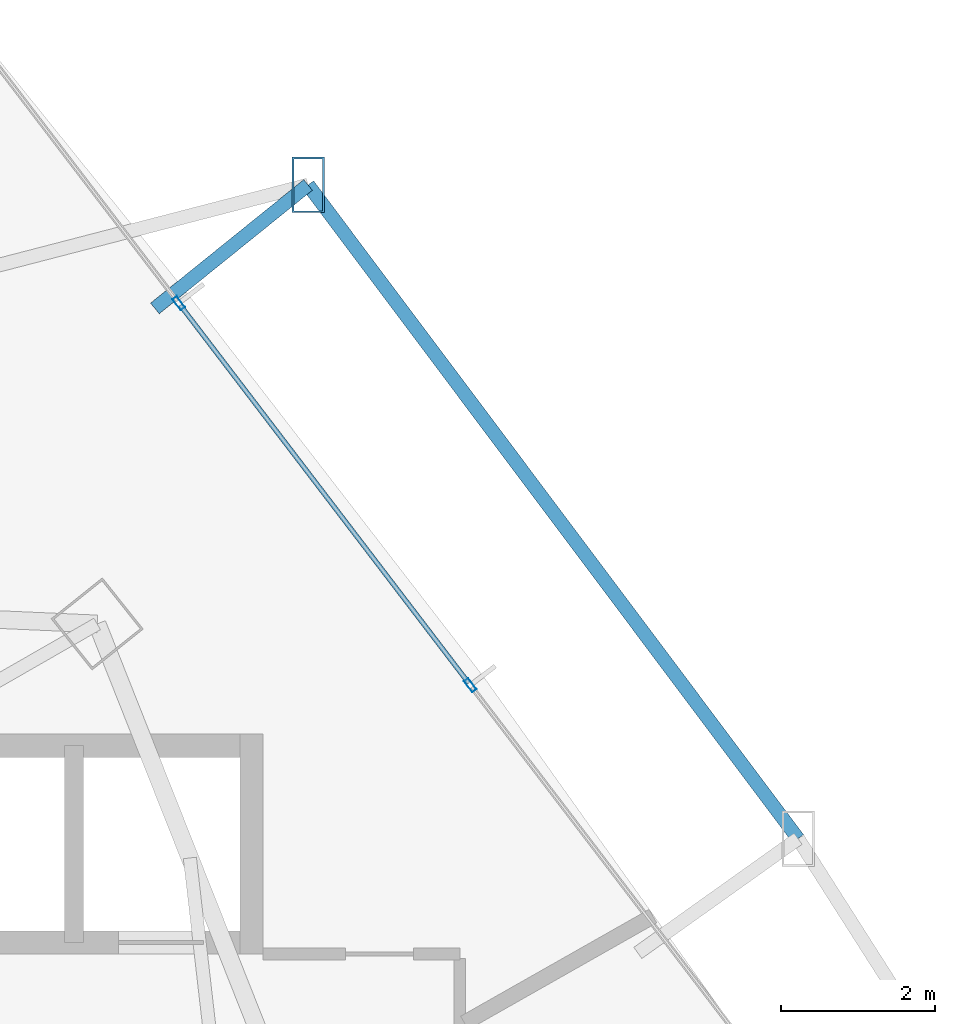
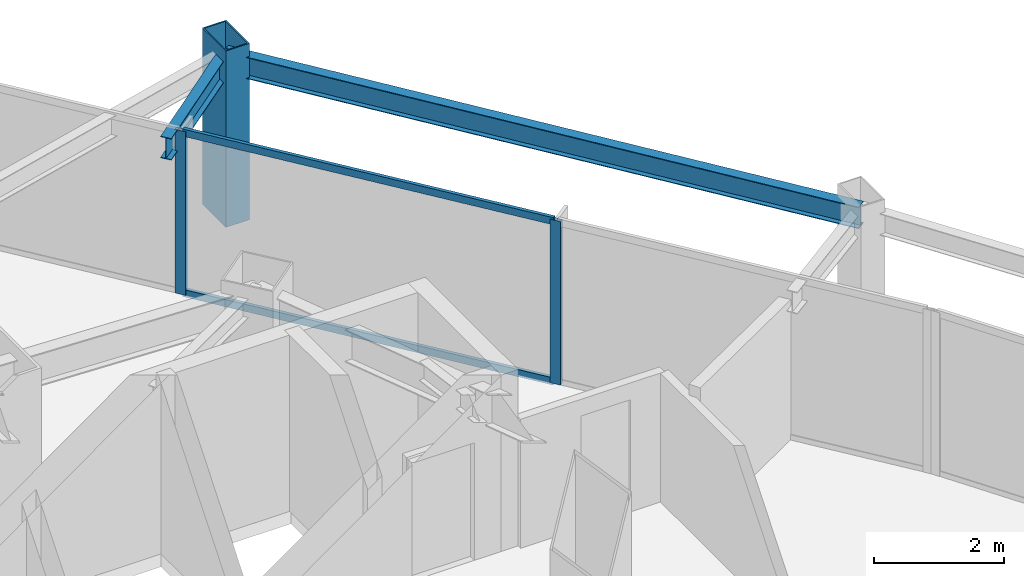
# One storey, part 27 of 34: 5 members, 2 beams, 1 element without a shape of its own.
"""IFC4 building model written with IfcOpenShell, lengths in metres."""

from ifc_helpers import new_model, si_unit, direction, frame, origin, origin_2d, place, context, subcontext, project, spatial, hollow_rectangle, i_section, extrude, material, layer, layer_set, material_profile, profile_set, type_object, element, aggregate, save


model = new_model("IFC4")

# Units and contexts
model_context = context("Model", 3, precision=1e-05, world=origin(), true_north=direction((0.0, 1.0)))
body_context = subcontext(model_context, "Body", "Model", "MODEL_VIEW")
ifc_project = project(units=[si_unit("LENGTHUNIT", "METRE"), si_unit("AREAUNIT", "SQUARE_METRE"), si_unit("VOLUMEUNIT", "CUBIC_METRE"), si_unit("PLANEANGLEUNIT", "RADIAN"), si_unit("MASSUNIT", "GRAM", prefix="KILO")], contexts=[model_context])

# Site, building, storey
site_placement = place(None, origin())
site = spatial("IfcSite", under=ifc_project, at=site_placement, CompositionType="ELEMENT")
building_placement = place(site_placement, origin())
building = spatial("IfcBuilding", under=site, at=building_placement, Name="Orvanel Arch Residences", CompositionType="ELEMENT")
storey_placement = place(building_placement, frame((0.0, 0.0, 64.25)))
storey = spatial("IfcBuildingStorey", under=building, at=storey_placement, Name="L17", CompositionType="ELEMENT", Elevation=64.25)

# Member
ifc_material_1 = material(Name="Structural steel AS/NZS 3678 Grade 350", Category="steel")
ifc_material_profile_1 = material_profile(ifc_material_1, hollow_rectangle(XDim=0.419921875, YDim=0.719970703125, WallThickness=0.02490234375, at=origin_2d()), Name="RHS720x420x25")
ifc_profile_set_1 = profile_set([ifc_material_profile_1], Name="Structural steel AS/NZS 3678 Grade 350")
member_type_1 = type_object("IfcMemberType", Name="CH-720RHS-EXT", PredefinedType="CHORD", material=ifc_profile_set_1)
member_1_placement = place(storey_placement, frame((40.68310546875, 46.867919921875, 0.0), z_axis=(0.0, 0.0, 1.0), x_axis=(1.0, 0.0, 0.0)))
element("IfcMember", 1, at=member_1_placement, inside=storey, type_object=member_type_1, Name="L17 Outer Perimeter Frame Post 12", PredefinedType="CHORD", context=body_context, shape_type="SweptSolid", body=[
    extrude(hollow_rectangle(XDim=0.419921875, YDim=0.719970703125, WallThickness=0.02490234375, at=origin_2d()), origin(), (0.0, 0.0, 1.0), 3.300048828125),
])

# Curtain wall, members
ifc_material_2 = material(Name="Bronze-anodised aluminium AA6063-T6", Category="aluminium")
ifc_layer = layer(ifc_material_2, 0.179931640625)
ifc_layer_set = layer_set([ifc_layer], Name="Bronze-anodised aluminium AA6063-T6")
curtain_wall_type = type_object("IfcCurtainWallType", Name="CW2-LOW-SYS", PredefinedType="NOTDEFINED", material=ifc_layer_set)
curtain_wall_placement = place(storey_placement, origin())
curtain_wall = element("IfcCurtainWall", 2, at=curtain_wall_placement, inside=storey, type_object=curtain_wall_type, Name="L17 CW2-LOW-SYS Unitised Curtain Wall", PredefinedType="NOTDEFINED")
ifc_material_profile_2 = material_profile(ifc_material_2, hollow_rectangle(XDim=0.070068359375, YDim=0.179931640625, WallThickness=0.00439453125, at=origin_2d()), Name="ALU180x70x4.5")
ifc_profile_set_2 = profile_set([ifc_material_profile_2], Name="Bronze-anodised aluminium AA6063-T6")
member_type_2 = type_object("IfcMemberType", Name="MUL-180x70", PredefinedType="MULLION", material=ifc_profile_set_2)
member_2_placement = place(storey_placement, frame((42.78564453125, 40.38427734375, 0.0), z_axis=(0.0, 0.0, 1.0), x_axis=(-0.794898267581, -0.606742733122, 0.0)))
member_2 = element("IfcMember", 3, at=member_2_placement, type_object=member_type_2, Name="CW-S2 mullion 2", PredefinedType="MULLION", context=body_context, shape_type="SweptSolid", body=[
    extrude(hollow_rectangle(XDim=0.070068359375, YDim=0.179931640625, WallThickness=0.00439453125, at=origin_2d()), origin(), (0.0, 0.0, 1.0), 3.06005859375),
])
member_3_placement = place(storey_placement, frame((39.00634765625, 45.335693359375, 0.0), z_axis=(0.0, 0.0, 1.0), x_axis=(-0.794898267581, -0.606742733122, 0.0)))
member_3 = element("IfcMember", 4, at=member_3_placement, type_object=member_type_2, Name="CW-S2 mullion 3", PredefinedType="MULLION", context=body_context, shape_type="SweptSolid", body=[
    extrude(hollow_rectangle(XDim=0.070068359375, YDim=0.179931640625, WallThickness=0.00439453125, at=origin_2d()), origin(), (0.0, 0.0, 1.0), 3.06005859375),
])

# Beams
ifc_material_3 = material(Name="Structural steel AS/NZS 3679.1 Grade 300 (300 MPa)", Category="steel")
ifc_material_profile_3 = material_profile(ifc_material_3, i_section(OverallWidth=0.177978515625, OverallDepth=0.406005859375, WebThickness=0.0078125, FlangeThickness=0.0126953125, at=origin_2d()), Name="410UB59.7")
ifc_profile_set_3 = profile_set([ifc_material_profile_3], Name="Structural steel AS/NZS 3679.1 Grade 300 (300 MPa)")
beam_type = type_object("IfcBeamType", Name="OB-410UB-EXT", PredefinedType="SPANDREL", material=ifc_profile_set_3)
beam_1_placement = place(storey_placement, frame((47.033935546875, 38.39404296875, 2.85693359375), z_axis=(-0.599723307078, 0.800207444946, 0.0), x_axis=(-0.800207444946, -0.599723307078, 0.0)))
element("IfcBeam", 5, at=beam_1_placement, inside=storey, type_object=beam_type, Name="L17 Outer Perimeter Floor Ring Beam 11", PredefinedType="SPANDREL", context=body_context, shape_type="SweptSolid", body=[
    extrude(i_section(OverallWidth=0.177978515625, OverallDepth=0.406005859375, WebThickness=0.0078125, FlangeThickness=0.0126953125, at=origin_2d()), origin(), (0.0, 0.0, 1.0), 10.589599609375),
])
beam_2_placement = place(storey_placement, frame((38.697998046875, 45.26708984375, 2.85693359375), z_axis=(0.7784251119, 0.627737481088, 0.0), x_axis=(-0.627737481088, 0.7784251119, 0.0)))
element("IfcBeam", 6, at=beam_2_placement, inside=storey, type_object=beam_type, Name="L17 Outer Frame Radial Tie Beam 12", PredefinedType="SPANDREL", context=body_context, shape_type="SweptSolid", body=[
    extrude(i_section(OverallWidth=0.177978515625, OverallDepth=0.406005859375, WebThickness=0.0078125, FlangeThickness=0.0126953125, at=origin_2d()), origin(), (0.0, 0.0, 1.0), 2.550048828125),
])

# Member
ifc_material_profile_4 = material_profile(ifc_material_2, hollow_rectangle(XDim=0.06005859375, YDim=0.135009765625, WallThickness=0.00390625, at=origin_2d()), Name="ALU135x60x4")
ifc_profile_set_4 = profile_set([ifc_material_profile_4], Name="Bronze-anodised aluminium AA6063-T6")
member_type_3 = type_object("IfcMemberType", Name="TRN-135x60", PredefinedType="USERDEFINED", material=ifc_profile_set_4)
member_4_placement = place(storey_placement, frame((42.764404296875, 40.412109375, 0.030029296875), z_axis=(-0.606733307077, 0.794905462356, 0.0), x_axis=(-0.794905462356, -0.606733307077, 0.0)))
member_4 = element("IfcMember", 7, at=member_4_placement, type_object=member_type_3, Name="CW-S2 transom 2.1", ObjectType="TRANSOM", PredefinedType="USERDEFINED", context=body_context, shape_type="SweptSolid", body=[
    extrude(hollow_rectangle(XDim=0.06005859375, YDim=0.135009765625, WallThickness=0.00390625, at=origin_2d()), origin(), (0.0, 0.0, 1.0), 6.158935546875),
])

member_5_placement = place(storey_placement, frame((42.764404296875, 40.412109375, 3.030029296875), z_axis=(-0.606733307077, 0.794905462356, 0.0), x_axis=(-0.794905462356, -0.606733307077, 0.0)))
member_5 = element("IfcMember", 8, at=member_5_placement, type_object=member_type_3, Name="CW-S2 transom 2.2", ObjectType="TRANSOM", PredefinedType="USERDEFINED", context=body_context, shape_type="SweptSolid", body=[
    extrude(hollow_rectangle(XDim=0.06005859375, YDim=0.135009765625, WallThickness=0.00390625, at=origin_2d()), origin(), (0.0, 0.0, 1.0), 6.158935546875),
])

aggregate(curtain_wall, [member_2, member_3, member_4, member_5])

save(model, "model.ifc")
